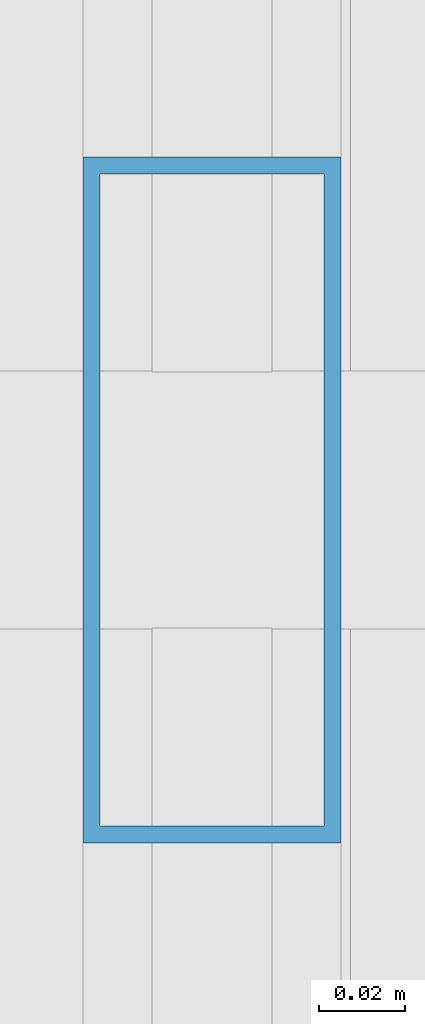
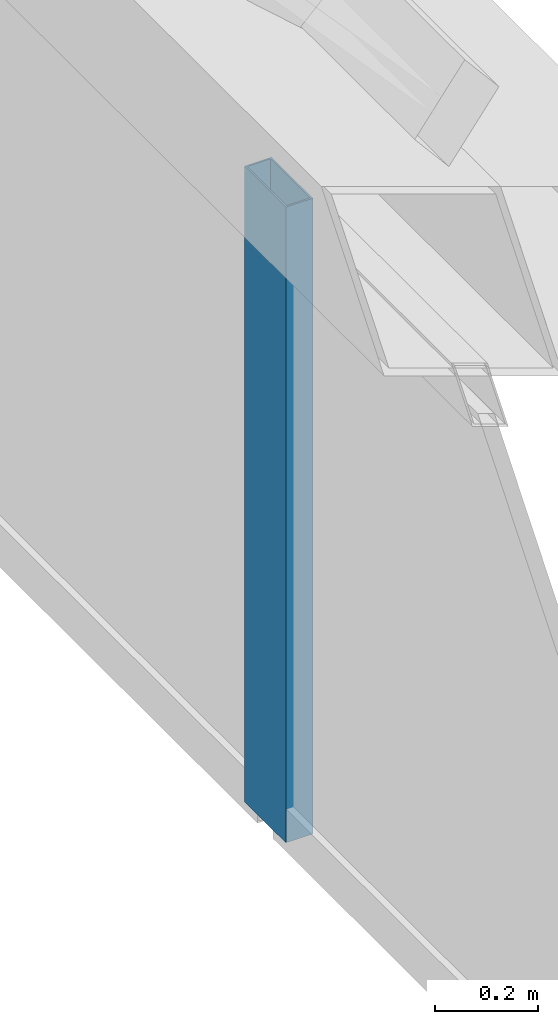
# One storey, part 86 of 182: 1 member, 1 element without a shape of its own.
"""IFC4 building model written with IfcOpenShell, lengths in metres."""

import ifcopenshell
import ifcopenshell.guid

model = None  # the IFC model being written
_history = None  # IfcOwnerHistory: only IFC2X3 demands one
_inside = {}  # id of a spatial element -> (the spatial element, [elements in it])
_under = {}  # id of a project, library or spatial element -> (it, [spatial elements below it])
_declared = {}  # id of a project -> (the project, [libraries it declares])
_typed = {}  # id of a type object -> (the type object, [elements of that type])
_made_of = {}  # id of a material, layer set ... -> (it, [elements and type objects made of it])


def new_model(schema):
    """Start an empty IFC model of exactly this schema.

    Asked for "IFC4X3", IfcOpenShell would pick the latest addendum, in which some entities
    have other attributes; the version numbers below select the first issue.
    IFC2X3 requires an IfcOwnerHistory on every rooted entity: one is made here for all.
    """
    global model, _history
    if schema == "IFC4X3":
        model = ifcopenshell.file(schema_version=(4, 3, 0, 0))
    else:
        model = ifcopenshell.file(schema=schema)
    _inside.clear()
    _under.clear()
    _declared.clear()
    _typed.clear()
    _made_of.clear()
    _history = None
    if model.schema == "IFC2X3":
        org = make("IfcOrganization", Name="unknown")
        user = make(
            "IfcPersonAndOrganization",
            ThePerson=make("IfcPerson", FamilyName="unknown"),
            TheOrganization=org,
        )
        app = make(
            "IfcApplication",
            ApplicationDeveloper=org,
            Version="unknown",
            ApplicationFullName="unknown",
            ApplicationIdentifier="unknown",
        )
        _history = make(
            "IfcOwnerHistory",
            OwningUser=user,
            OwningApplication=app,
            ChangeAction="ADDED",
            CreationDate=0,
        )
    return model


def make(cls, **values):
    """One entity of the class cls with the attributes given. An attribute that is None is left unset."""
    return model.create_entity(
        cls, **{name: value for name, value in values.items() if value is not None}
    )


def rooted(cls, **values):
    """An entity with a GlobalId (a new one), such as an element, a storey or a relation."""
    return make(cls, GlobalId=ifcopenshell.guid.new(), OwnerHistory=_history, **values)


def si_unit(unit_type, name, prefix=None):
    """IfcSIUnit, for example si_unit("LENGTHUNIT", "METRE", prefix="MILLI")."""
    return make("IfcSIUnit", UnitType=unit_type, Prefix=prefix, Name=name)


def assignment(units):
    """IfcUnitAssignment: the units of a project."""
    return None if units is None else make("IfcUnitAssignment", Units=units)


def point(xyz):
    """IfcCartesianPoint."""
    return None if xyz is None else make("IfcCartesianPoint", Coordinates=xyz)


def direction(xyz):
    """IfcDirection."""
    return None if xyz is None else make("IfcDirection", DirectionRatios=xyz)


def frame(location, z_axis=None, x_axis=None):
    """IfcAxis2Placement3D, a coordinate frame: its origin and axes. An axis left out is left unset."""
    return make(
        "IfcAxis2Placement3D",
        Location=point(location),
        Axis=direction(z_axis),
        RefDirection=direction(x_axis),
    )


def frame_2d(location, x_axis=None):
    """IfcAxis2Placement2D, a coordinate frame in the plane: its origin and x axis."""
    return make(
        "IfcAxis2Placement2D", Location=point(location), RefDirection=direction(x_axis)
    )


def origin():
    """The frame at (0, 0, 0) with its axes left unset."""
    return frame((0.0, 0.0, 0.0))


def origin_2d():
    """The frame at (0, 0) in the plane with its x axis left unset."""
    return frame_2d((0.0, 0.0))


def place(relative_to, where):
    """IfcLocalPlacement: puts the frame where relative to a parent placement (None: the world)."""
    return make(
        "IfcLocalPlacement", PlacementRelTo=relative_to, RelativePlacement=where
    )


def context(
    kind, dimensions, precision=None, world=None, true_north=None, identifier=None
):
    """IfcGeometricRepresentationContext, for example the 3D "Model" context."""
    return make(
        "IfcGeometricRepresentationContext",
        ContextIdentifier=identifier,
        ContextType=kind,
        CoordinateSpaceDimension=dimensions,
        Precision=precision,
        WorldCoordinateSystem=world,
        TrueNorth=true_north,
    )


def subcontext(parent, identifier, kind, view, scale=None):
    """IfcGeometricRepresentationSubContext, for example "Body" below "Model"."""
    return make(
        "IfcGeometricRepresentationSubContext",
        ContextIdentifier=identifier,
        ContextType=kind,
        ParentContext=parent,
        TargetScale=scale,
        TargetView=view,
    )


def project(units=None, contexts=None):
    """IfcProject with its units and contexts."""
    return rooted(
        "IfcProject",
        Name="project",
        RepresentationContexts=contexts,
        UnitsInContext=assignment(units),
    )


def spatial(cls, under=None, at=None, **own):
    """A site, building, storey or space (cls), placed at a placement, below another one or the project."""
    s = rooted(cls, ObjectPlacement=at, **own)
    if under is not None:
        _under.setdefault(under.id(), (under, []))[1].append(s)
    return s


def profile(cls, at=None, kind="AREA", **sizes):
    """A parametric profile (cls). Its sizes go by their IFC names, for example OverallWidth=200.0."""
    return make(cls, ProfileType=kind, Position=at, **sizes)


def hollow_rectangle(**sizes):
    """IfcRectangleHollowProfileDef."""
    return profile("IfcRectangleHollowProfileDef", **sizes)


def extrude(swept, where, along, depth):
    """IfcExtrudedAreaSolid: the profile swept, set in the frame where, extruded along a direction by depth."""
    return make(
        "IfcExtrudedAreaSolid",
        SweptArea=swept,
        Position=where,
        ExtrudedDirection=direction(along),
        Depth=depth,
    )


def shape(context_of_items, identifier, shape_type, items):
    """IfcShapeRepresentation: the items that make up one representation, for example the "Body"."""
    return make(
        "IfcShapeRepresentation",
        ContextOfItems=context_of_items,
        RepresentationIdentifier=identifier,
        RepresentationType=shape_type,
        Items=items,
    )


def material(Name=None, Category=None):
    """IfcMaterial."""
    return make("IfcMaterial", Name=Name, Category=Category)


def material_profile(
    of_material, cross_section, Name=None, Category=None, Priority=None
):
    """IfcMaterialProfile: a cross section and its material."""
    return make(
        "IfcMaterialProfile",
        Name=Name,
        Material=of_material,
        Profile=cross_section,
        Priority=Priority,
        Category=Category,
    )


def profile_set(profiles, Name=None, composite=None):
    """IfcMaterialProfileSet."""
    return make(
        "IfcMaterialProfileSet",
        Name=Name,
        MaterialProfiles=profiles,
        CompositeProfile=composite,
    )


def made_of(thing, what):
    """Note that an element or type object is made of a material, layer set ...; save() writes the relation."""
    if what is not None:
        _made_of.setdefault(what.id(), (what, []))[1].append(thing)
    return thing


def type_object(cls, material=None, **own):
    """A type object (cls), such as IfcWallType, which elements share."""
    return made_of(rooted(cls, **own), material)


def element(
    cls,
    number,
    at=None,
    inside=None,
    cuts=None,
    type_object=None,
    material=None,
    context=None,
    identifier="Body",
    shape_type=None,
    held_by="IfcProductDefinitionShape",
    body=None,
    shapes=None,
    **own,
):
    """One element of the class cls, such as IfcWall. Its Tag is "e" and its number.

    at: its placement. inside: the storey or other place that contains it. cuts: it is an
    opening in that element (IfcRelVoidsElement). A single representation is given by context,
    identifier, shape_type and body (its items); several are given by shapes. held_by: the class
    of the entity that holds the representations. save() writes the other relations.
    """
    e = rooted(cls, Tag="e%d" % number, ObjectPlacement=at, **own)
    if body is not None:
        shapes = [shape(context, identifier, shape_type, body)]
    if shapes is not None:
        e.Representation = make(held_by, Representations=shapes)
    if inside is not None:
        _inside.setdefault(inside.id(), (inside, []))[1].append(e)
    if cuts is not None:
        rooted(
            "IfcRelVoidsElement", RelatingBuildingElement=cuts, RelatedOpeningElement=e
        )
    if type_object is not None:
        _typed.setdefault(type_object.id(), (type_object, []))[1].append(e)
    return made_of(e, material)


def aggregate(whole, parts):
    """IfcRelAggregates: a whole, such as a stair, and the parts it consists of."""
    return rooted("IfcRelAggregates", RelatingObject=whole, RelatedObjects=parts)


def save(model, path):
    """Write the relations noted so far, then the file.

    IfcRelAggregates (storeys below a building ...), IfcRelContainedInSpatialStructure (elements
    in a storey), IfcRelDefinesByType, IfcRelAssociatesMaterial and IfcRelDeclares: one each for
    every whole, place, type object, material and project.
    """
    for whole, parts in _under.values():
        aggregate(whole, parts)
    for where, things in _inside.values():
        rooted(
            "IfcRelContainedInSpatialStructure",
            RelatedElements=things,
            RelatingStructure=where,
        )
    for kind, things in _typed.values():
        rooted("IfcRelDefinesByType", RelatedObjects=things, RelatingType=kind)
    for what, things in _made_of.values():
        rooted("IfcRelAssociatesMaterial", RelatedObjects=things, RelatingMaterial=what)
    for by, libraries in _declared.values():
        rooted("IfcRelDeclares", RelatingContext=by, RelatedDefinitions=libraries)
    model.write(path)


model = new_model("IFC4")

# Units and contexts
model_context = context("Model", 3, precision=1e-05, world=origin(), true_north=direction((0.0, 1.0)))
body_context = subcontext(model_context, "Body", "Model", "MODEL_VIEW")
ifc_project = project(units=[si_unit("LENGTHUNIT", "METRE"), si_unit("AREAUNIT", "SQUARE_METRE"), si_unit("VOLUMEUNIT", "CUBIC_METRE"), si_unit("PLANEANGLEUNIT", "RADIAN"), si_unit("MASSUNIT", "GRAM", prefix="KILO")], contexts=[model_context])

# Site, building, storey
site_placement = place(None, origin())
site = spatial("IfcSite", under=ifc_project, at=site_placement, CompositionType="ELEMENT")
building_placement = place(site_placement, origin())
building = spatial("IfcBuilding", under=site, at=building_placement, Name="Okhra Congress Centre", CompositionType="ELEMENT")
storey_placement = place(building_placement, frame((0.0, 0.0, 7.199951171875)))
storey = spatial("IfcBuildingStorey", under=building, at=storey_placement, Name="L01", CompositionType="ELEMENT", Elevation=7.199951171875)

# Curtain wall, member
ifc_material_1 = material(Name="Aluminium curtain wall, triple glazing", Category="aluminium")
curtain_wall_type = type_object("IfcCurtainWallType", Name="Curtain wall 2100 module", PredefinedType="NOTDEFINED", material=ifc_material_1)
curtain_wall_placement = place(storey_placement, origin())
curtain_wall = element("IfcCurtainWall", 1, at=curtain_wall_placement, inside=storey, type_object=curtain_wall_type, Name="East bay 8 clerestory glazing", PredefinedType="NOTDEFINED")
ifc_material_2 = material(Name="Aluminium alloy EN AW-6063 T66", Category="aluminium")
ifc_material_profile = material_profile(ifc_material_2, hollow_rectangle(XDim=0.06005859375, YDim=0.159912109375, WallThickness=0.00390625, at=origin_2d()), Name="RHS 60x160x4")
ifc_profile_set = profile_set([ifc_material_profile], Name="Aluminium alloy EN AW-6063 T66")
member_type = type_object("IfcMemberType", Name="Curtain wall mullion 60x160", PredefinedType="MULLION", material=ifc_profile_set)
member_placement = place(storey_placement, frame((189.0, 208.5, 0.0), z_axis=(0.0, 0.0, 1.0), x_axis=(-1.0, 0.0, 0.0)))
member = element("IfcMember", 2, at=member_placement, type_object=member_type, Name="CW4 mullion 2", PredefinedType="MULLION", context=body_context, shape_type="SweptSolid", body=[
    extrude(hollow_rectangle(XDim=0.06005859375, YDim=0.159912109375, WallThickness=0.00390625, at=origin_2d()), origin(), (0.0, 0.0, 1.0), 1.5),
])
aggregate(curtain_wall, [member])

save(model, "model.ifc")
